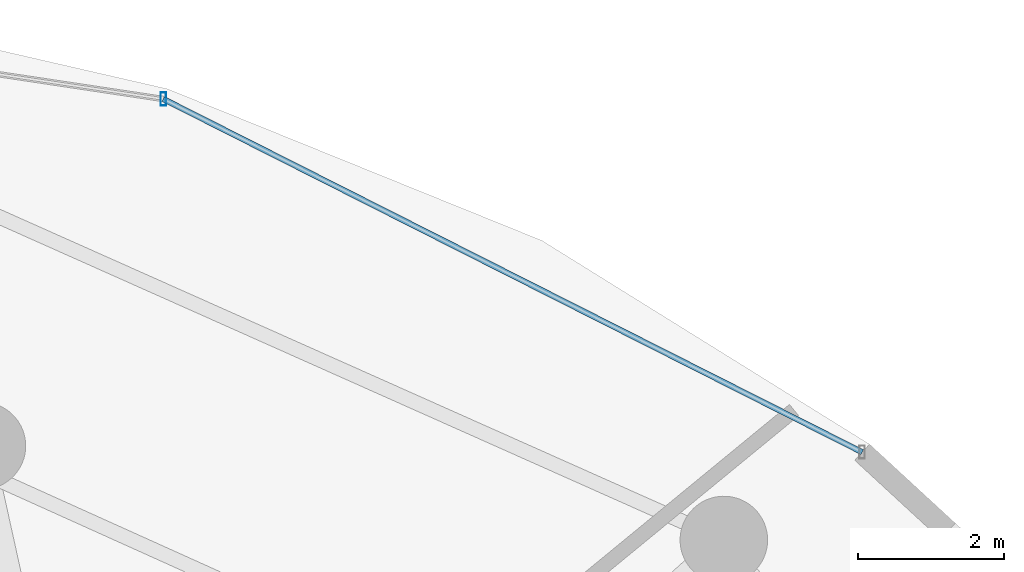
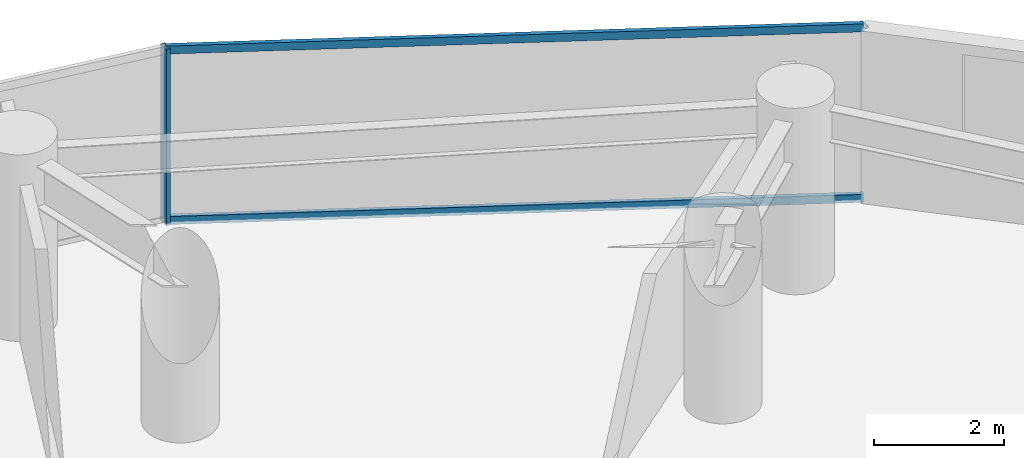
# One storey, part 23 of 34: 3 members, 1 element without a shape of its own.
"""IFC4 building model written with IfcOpenShell, lengths in metres."""

from ifc_helpers import new_model, si_unit, direction, frame, origin, origin_2d, place, context, subcontext, project, spatial, hollow_rectangle, extrude, material, material_profile, profile_set, type_object, element, aggregate, save


model = new_model("IFC4")

# Units and contexts
model_context = context("Model", 3, precision=1e-05, world=origin(), true_north=direction((0.0, 1.0)))
body_context = subcontext(model_context, "Body", "Model", "MODEL_VIEW")
ifc_project = project(units=[si_unit("LENGTHUNIT", "METRE"), si_unit("AREAUNIT", "SQUARE_METRE"), si_unit("VOLUMEUNIT", "CUBIC_METRE"), si_unit("PLANEANGLEUNIT", "RADIAN"), si_unit("MASSUNIT", "GRAM", prefix="KILO")], contexts=[model_context])

# Site, building, storey
site_placement = place(None, origin())
site = spatial("IfcSite", under=ifc_project, at=site_placement, CompositionType="ELEMENT")
building_placement = place(site_placement, origin())
building = spatial("IfcBuilding", under=site, at=building_placement, Name="Vorneva Point Tower", CompositionType="ELEMENT")
storey_placement = place(building_placement, frame((0.0, 0.0, 62.5)))
storey = spatial("IfcBuildingStorey", under=building, at=storey_placement, Name="L16", CompositionType="ELEMENT", Elevation=62.5)

# Curtain wall, members
ifc_material = material(Name="Pale anodised aluminium", Category="aluminium")
curtain_wall_type = type_object("IfcCurtainWallType", Name="CW-HTL-SYS", PredefinedType="NOTDEFINED", material=ifc_material)
curtain_wall_placement = place(storey_placement, origin())
curtain_wall = element("IfcCurtainWall", 1, at=curtain_wall_placement, inside=storey, type_object=curtain_wall_type, Name="L16 Unitised Curtain Wall CW-L16-R02", PredefinedType="NOTDEFINED")
ifc_material_profile_1 = material_profile(ifc_material, hollow_rectangle(XDim=0.074951171875, YDim=0.179931640625, WallThickness=0.00390625, at=origin_2d()), Name="AL-MUL 180x75x4")
ifc_profile_set_1 = profile_set([ifc_material_profile_1], Name="Pale anodised aluminium")
member_type_1 = type_object("IfcMemberType", Name="CW-MUL-180", PredefinedType="MULLION", material=ifc_profile_set_1)
member_1_placement = place(storey_placement, frame((49.308349609375, 46.648681640625, -0.0400390625), z_axis=(0.0, 0.0, 1.0), x_axis=(1.0, 0.0, 0.0)))
member_1 = element("IfcMember", 2, at=member_1_placement, type_object=member_type_1, Name="CW-L16-R02 Mullion 02", PredefinedType="MULLION", context=body_context, shape_type="SweptSolid", body=[
    extrude(hollow_rectangle(XDim=0.074951171875, YDim=0.179931640625, WallThickness=0.00390625, at=origin_2d()), origin(), (0.0, 0.0, 1.0), 3.31005859375),
])
ifc_material_profile_2 = material_profile(ifc_material, hollow_rectangle(XDim=0.074951171875, YDim=0.14990234375, WallThickness=0.00390625, at=origin_2d()), Name="AL-TRN 150x75x4")
ifc_profile_set_2 = profile_set([ifc_material_profile_2], Name="Pale anodised aluminium")
member_type_2 = type_object("IfcMemberType", Name="CW-TRN-150", PredefinedType="USERDEFINED", material=ifc_profile_set_2)
member_2_placement = place(storey_placement, frame((58.89501953125, 41.8037109375, 0.02001953125), z_axis=(-0.892496057621, 0.451055192999, 0.0), x_axis=(-0.451055192999, -0.892496057621, 0.0)))
member_2 = element("IfcMember", 3, at=member_2_placement, type_object=member_type_2, Name="CW-L16-R02 Transom 01.1", ObjectType="TRANSOM", PredefinedType="USERDEFINED", context=body_context, shape_type="SweptSolid", body=[
    extrude(hollow_rectangle(XDim=0.074951171875, YDim=0.14990234375, WallThickness=0.00390625, at=origin_2d()), origin(), (0.0, 0.0, 1.0), 10.741455078125),
])
member_3_placement = place(storey_placement, frame((58.89501953125, 41.8037109375, 3.219970703125), z_axis=(-0.892496057621, 0.451055192999, 0.0), x_axis=(-0.451055192999, -0.892496057621, 0.0)))
member_3 = element("IfcMember", 4, at=member_3_placement, type_object=member_type_2, Name="CW-L16-R02 Transom 01.2", ObjectType="TRANSOM", PredefinedType="USERDEFINED", context=body_context, shape_type="SweptSolid", body=[
    extrude(hollow_rectangle(XDim=0.074951171875, YDim=0.14990234375, WallThickness=0.00390625, at=origin_2d()), origin(), (0.0, 0.0, 1.0), 10.741455078125),
])
aggregate(curtain_wall, [member_1, member_2, member_3])

save(model, "model.ifc")
